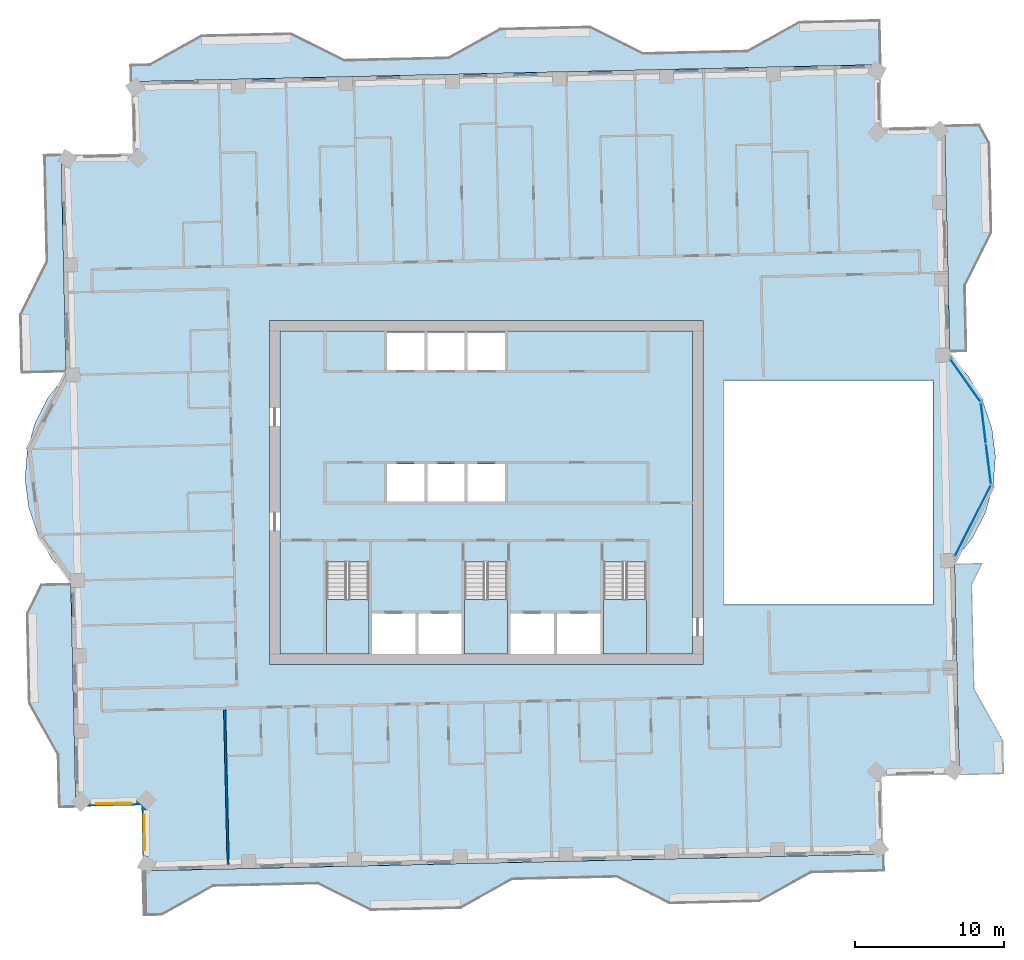
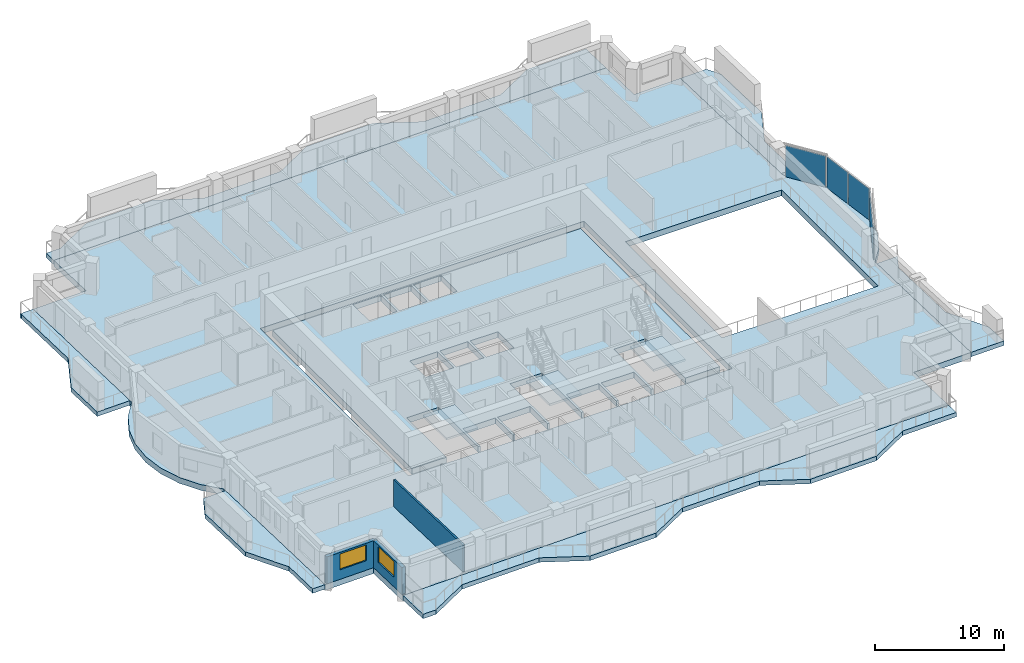
# One storey, part 7 of 20: 11 slabs, 4 plates, 3 walls, 2 windows, 2 openings, 6 elements without a shape of their own.
"""IFC4 building model written with IfcOpenShell, lengths in metres."""

from ifc_helpers import new_model, si_unit, direction, frame, frame_2d, origin, origin_2d, place, context, subcontext, project, spatial, polyline, rectangle, outline, extrude, material, layer, layer_set, type_object, element, fill, aggregate, save


model = new_model("IFC4")

# Units and contexts
model_context = context("Model", 3, precision=1e-05, world=origin(), true_north=direction((0.0, 1.0)))
body_context = subcontext(model_context, "Body", "Model", "MODEL_VIEW")
ifc_project = project(units=[si_unit("LENGTHUNIT", "METRE"), si_unit("AREAUNIT", "SQUARE_METRE"), si_unit("VOLUMEUNIT", "CUBIC_METRE"), si_unit("PLANEANGLEUNIT", "RADIAN"), si_unit("MASSUNIT", "GRAM", prefix="KILO")], contexts=[model_context])

# Site, building, storey
site_placement = place(None, origin())
site = spatial("IfcSite", under=ifc_project, at=site_placement, CompositionType="ELEMENT")
building_placement = place(site_placement, origin())
building = spatial("IfcBuilding", under=site, at=building_placement, Name="Mangrove Gate Tower", CompositionType="ELEMENT")
storey_placement = place(building_placement, frame((0.0, 0.0, 279.89990234375)))
storey = spatial("IfcBuildingStorey", under=building, at=storey_placement, Name="L71", CompositionType="ELEMENT", Elevation=279.89990234375)

# Curtain wall, plate
ifc_material_1 = material(Name="Aluminium and glass curtain wall", Category="aluminium")
curtain_wall_type = type_object("IfcCurtainWallType", Name="Atrium garden-court glazing wall", PredefinedType="NOTDEFINED", material=ifc_material_1)
curtain_wall_1_placement = place(storey_placement, origin())
curtain_wall_1 = element("IfcCurtainWall", 1, at=curtain_wall_1_placement, inside=storey, type_object=curtain_wall_type, Name="Atrium garden-court glazing E1f1", PredefinedType="NOTDEFINED")
ifc_material_2 = material(Name="Laminated low-e glass", Category="glass")
ifc_layer_1 = layer(ifc_material_2, 0.031982421875)
ifc_layer_set_1 = layer_set([ifc_layer_1], Name="Atrium garden-court glazing panel 32")
plate_type = type_object("IfcPlateType", Name="Atrium garden-court glazing panel 32", PredefinedType="CURTAIN_PANEL", material=ifc_layer_set_1)
plate_1_placement = place(storey_placement, frame((32.542236328125, -1.90087890625, 0.0), z_axis=(0.0, 0.0, 1.0), x_axis=(0.452617386511, 0.891704828644, 0.0)))
plate_1 = element("IfcPlate", 2, at=plate_1_placement, type_object=plate_type, Name="CWA panel 1.1", PredefinedType="CURTAIN_PANEL", context=body_context, shape_type="SweptSolid", body=[
    extrude(rectangle(XDim=5.258544921875, YDim=0.031982421875, at=origin_2d()), origin(), (0.0, 0.0, 1.0), 2.97998046875),
])
aggregate(curtain_wall_1, [plate_1])

# Curtain wall, plates
curtain_wall_2_placement = place(storey_placement, origin())
curtain_wall_2 = element("IfcCurtainWall", 3, at=curtain_wall_2_placement, inside=storey, type_object=curtain_wall_type, Name="Atrium garden-court glazing E1f2", PredefinedType="NOTDEFINED")
plate_2_placement = place(storey_placement, frame((33.591552734375, 1.90625, 0.0), z_axis=(0.0, 0.0, 1.0), x_axis=(-0.122172285885, 0.992508908051, 0.0)))
plate_2 = element("IfcPlate", 4, at=plate_2_placement, type_object=plate_type, Name="CWA panel 1.1", PredefinedType="CURTAIN_PANEL", context=body_context, shape_type="SweptSolid", body=[
    extrude(rectangle(XDim=2.681640625, YDim=0.031982421875, at=origin_2d()), origin(), (0.0, 0.0, 1.0), 2.97998046875),
])
plate_3_placement = place(storey_placement, frame((33.25537109375, 4.637451171875, 0.0), z_axis=(0.0, 0.0, 1.0), x_axis=(-0.122172285885, 0.992508908051, 0.0)))
plate_3 = element("IfcPlate", 5, at=plate_3_placement, type_object=plate_type, Name="CWA panel 2.1", PredefinedType="CURTAIN_PANEL", context=body_context, shape_type="SweptSolid", body=[
    extrude(rectangle(XDim=2.681640625, YDim=0.031982421875, at=origin_2d()), origin(), (0.0, 0.0, 1.0), 2.97998046875),
])
aggregate(curtain_wall_2, [plate_2, plate_3])

# Curtain wall, plate
curtain_wall_3_placement = place(storey_placement, origin())
curtain_wall_3 = element("IfcCurtainWall", 6, at=curtain_wall_3_placement, inside=storey, type_object=curtain_wall_type, Name="Atrium garden-court glazing E1f3", PredefinedType="NOTDEFINED")
plate_4_placement = place(storey_placement, frame((32.05126953125, 7.493896484375, 0.0), z_axis=(0.0, 0.0, 1.0), x_axis=(-0.578135022674, 0.815941110349, 0.0)))
plate_4 = element("IfcPlate", 7, at=plate_4_placement, type_object=plate_type, Name="CWA panel 1.1", PredefinedType="CURTAIN_PANEL", context=body_context, shape_type="SweptSolid", body=[
    extrude(rectangle(XDim=3.42919921875, YDim=0.031982421875, at=origin_2d()), origin(), (0.0, 0.0, 1.0), 2.97998046875),
])
aggregate(curtain_wall_3, [plate_4])

# Slabs
ifc_material_3 = material(Name="Porcelain tile")
ifc_layer_2 = layer(ifc_material_3, 0.02001953125, Name="Tile finish")
ifc_material_4 = material(Name="Cement sand screed")
ifc_layer_3 = layer(ifc_material_4, 0.0400390625, Name="Screed laid to falls")
ifc_material_5 = material(Name="Bituminous waterproofing membrane")
ifc_layer_4 = layer(ifc_material_5, 0.00390625, Name="Waterproofing")
ifc_material_6 = material(Name="Concrete C40/50", Category="concrete")
ifc_layer_5 = layer(ifc_material_6, 0.340087890625, Name="Balcony structural slab")
ifc_material_7 = material(Name="Limestone", Category="masonry")
ifc_layer_6 = layer(ifc_material_7, 0.01611328125, Name="Soffit lining")
ifc_layer_set_2 = layer_set([ifc_layer_2, ifc_layer_3, ifc_layer_4, ifc_layer_5, ifc_layer_6], Name="Balcony slab 420 C40/50")
slab_type_1 = type_object("IfcSlabType", Name="Balcony slab 420 C40/50", PredefinedType="FLOOR", material=ifc_layer_set_2)
slab_1_placement = place(storey_placement, frame((0.0, 0.0, -0.419921875)))
element("IfcSlab", 8, at=slab_1_placement, inside=storey, type_object=slab_type_1, Name="BALCONY L71 E0", PredefinedType="FLOOR", context=body_context, shape_type="SweptSolid", body=[
    extrude(outline(polyline([(34.631103515625, -18.805908203125), (34.5810546875, -16.60595703125), (32.652099609375, -13.14892578125), (32.492919921875, -6.15087890625), (33.18798828125, -4.760009765625), (31.322021484375, -4.802978515625), (31.35302734375, -6.177001953125), (31.511962890625, -13.175048828125), (31.591064453125, -16.674072265625), (31.64111328125, -18.8740234375), (34.631103515625, -18.805908203125)])), origin(), (0.0, 0.0, 1.0), 0.419921875),
])
slab_2_placement = place(storey_placement, frame((0.0, 0.0, -0.419921875)))
element("IfcSlab", 9, at=slab_2_placement, inside=storey, type_object=slab_type_1, Name="BALCONY L71 E1", PredefinedType="FLOOR", context=body_context, shape_type="SweptSolid", body=[
    extrude(outline(polyline([(32.137939453125, 9.469970703125), (32.0390625, 13.843994140625), (33.80908203125, 17.385009765625), (33.673095703125, 23.383056640625), (33.011962890625, 24.569091796875), (30.656982421875, 24.514892578125), (30.68408203125, 23.31494140625), (30.820068359375, 17.31689453125), (30.89892578125, 13.818115234375), (30.9990234375, 9.444091796875), (32.137939453125, 9.469970703125)])), origin(), (0.0, 0.0, 1.0), 0.419921875),
])
slab_3_placement = place(storey_placement, frame((0.0, 0.0, -0.419921875)))
element("IfcSlab", 10, at=slab_3_placement, inside=storey, type_object=slab_type_1, Name="BALCONY L71 N0", PredefinedType="FLOOR", context=body_context, shape_type="SweptSolid", body=[
    extrude(outline(polyline([(26.294921875, 31.60791015625), (20.927978515625, 31.486083984375), (17.470947265625, 29.556884765625), (10.472900390625, 29.39794921875), (6.931884765625, 31.1689453125), (0.93310546875, 31.031982421875), (-2.52392578125, 29.10400390625), (-9.52197265625, 28.946044921875), (-13.06298828125, 30.715087890625), (-19.06201171875, 30.5791015625), (-22.51904296875, 28.64990234375), (-23.785888671875, 28.62109375), (-23.760986328125, 27.48095703125), (26.363037109375, 28.618896484375), (26.294921875, 31.60791015625)])), origin(), (0.0, 0.0, 1.0), 0.419921875),
])
slab_4_placement = place(storey_placement, frame((0.0, 0.0, -0.419921875)))
element("IfcSlab", 11, at=slab_4_placement, inside=storey, type_object=slab_type_1, Name="BALCONY L71 W0", PredefinedType="FLOOR", context=body_context, shape_type="SweptSolid", body=[
    extrude(outline(polyline([(-29.64306640625, 22.547119140625), (-29.587890625, 22.447998046875), (-29.428955078125, 15.449951171875), (-31.198974609375, 11.908935546875), (-31.111083984375, 8.034912109375), (-28.1220703125, 8.10302734375), (-28.2099609375, 11.97607421875), (-28.2890625, 15.47509765625), (-28.447998046875, 22.47412109375), (-28.449951171875, 22.573974609375), (-29.64306640625, 22.547119140625)])), origin(), (0.0, 0.0, 1.0), 0.419921875),
])
slab_5_placement = place(storey_placement, frame((0.0, 0.0, -0.419921875)))
element("IfcSlab", 12, at=slab_5_placement, inside=storey, type_object=slab_type_1, Name="BALCONY L71 W1", PredefinedType="FLOOR", context=body_context, shape_type="SweptSolid", body=[
    extrude(outline(polyline([(-29.797119140625, -6.18994140625), (-30.7451171875, -8.0859375), (-30.60888671875, -14.0849609375), (-28.679931640625, -17.5419921875), (-28.60107421875, -21.041015625), (-27.4609375, -21.014892578125), (-27.541015625, -17.51611328125), (-27.6201171875, -14.01708984375), (-27.756103515625, -8.01904296875), (-27.799072265625, -6.14404296875), (-29.797119140625, -6.18994140625)])), origin(), (0.0, 0.0, 1.0), 0.419921875),
])
slab_6_placement = place(storey_placement, frame((0.0, 0.0, -0.419921875)))
element("IfcSlab", 13, at=slab_6_placement, inside=storey, type_object=slab_type_1, Name="BALCONY L71 S0", PredefinedType="FLOOR", context=body_context, shape_type="SweptSolid", body=[
    extrude(outline(polyline([(-22.89501953125, -28.302978515625), (-21.72705078125, -28.277099609375), (-18.27001953125, -26.347900390625), (-11.27197265625, -26.18896484375), (-7.73095703125, -27.958984375), (-1.73193359375, -27.822998046875), (1.72509765625, -25.89404296875), (8.722900390625, -25.736083984375), (12.263916015625, -27.506103515625), (18.262939453125, -27.368896484375), (21.719970703125, -25.44091796875), (26.5869140625, -25.330078125), (26.56103515625, -24.18994140625), (-22.962890625, -25.31396484375), (-22.89501953125, -28.302978515625)])), origin(), (0.0, 0.0, 1.0), 0.419921875),
])
ifc_material_8 = material(Name="Concrete C40/50", Category="concrete")
ifc_layer_7 = layer(ifc_material_8, 0.550048828125)
ifc_layer_set_3 = layer_set([ifc_layer_7], Name="Core floor slab 550 C40/50")
slab_type_2 = type_object("IfcSlabType", Name="Core floor slab 550 C40/50", PredefinedType="FLOOR", material=ifc_layer_set_3)
slab_7_placement = place(storey_placement, frame((0.0, 0.0, -0.5498046875)))
element("IfcSlab", 14, at=slab_7_placement, inside=storey, type_object=slab_type_2, Name="SLAB-L71-CORE-1", PredefinedType="FLOOR", context=body_context, shape_type="SweptSolid", body=[
    extrude(outline(polyline([(-13.800048828125, -10.800048828125), (-13.800048828125, 10.800048828125), (13.800048828125, 10.800048828125), (13.800048828125, -10.800048828125), (10.699951171875, -10.800048828125), (10.699951171875, -4.653076171875), (7.85009765625, -4.653076171875), (7.85009765625, -10.800048828125), (7.64990234375, -10.800048828125), (7.64990234375, -8.10009765625), (4.72509765625, -8.10009765625), (4.72509765625, -10.800048828125), (4.52490234375, -10.800048828125), (4.52490234375, -8.10009765625), (1.60009765625, -8.10009765625), (1.60009765625, -10.800048828125), (1.39990234375, -10.800048828125), (1.39990234375, -4.653076171875), (-1.449951171875, -4.653076171875), (-1.449951171875, -10.800048828125), (-1.64990234375, -10.800048828125), (-1.64990234375, -8.10009765625), (-4.550048828125, -8.10009765625), (-4.550048828125, -10.800048828125), (-4.75, -10.800048828125), (-4.75, -8.10009765625), (-7.64990234375, -8.10009765625), (-7.64990234375, -10.800048828125), (-7.85009765625, -10.800048828125), (-7.85009765625, -4.653076171875), (-10.699951171875, -4.653076171875), (-10.699951171875, -10.800048828125), (-13.800048828125, -10.800048828125)]), holes=[polyline([(-4.14990234375, 1.89990234375), (-6.64990234375, 1.89990234375), (-6.64990234375, -0.60009765625), (-4.14990234375, -0.60009765625), (-4.14990234375, 1.89990234375)]), polyline([(-1.449951171875, -0.60009765625), (-1.449951171875, 1.89990234375), (-3.949951171875, 1.89990234375), (-3.949951171875, -0.60009765625), (-1.449951171875, -0.60009765625)]), polyline([(-4.14990234375, 8.199951171875), (-4.14990234375, 10.699951171875), (-6.64990234375, 10.699951171875), (-6.64990234375, 8.199951171875), (-4.14990234375, 8.199951171875)]), polyline([(-1.449951171875, 10.699951171875), (-3.949951171875, 10.699951171875), (-3.949951171875, 8.199951171875), (-1.449951171875, 8.199951171875), (-1.449951171875, 10.699951171875)]), polyline([(1.25, -0.60009765625), (1.25, 1.89990234375), (-1.25, 1.89990234375), (-1.25, -0.60009765625), (1.25, -0.60009765625)]), polyline([(1.25, 8.199951171875), (1.25, 10.699951171875), (-1.25, 10.699951171875), (-1.25, 8.199951171875), (1.25, 8.199951171875)])]), origin(), (0.0, 0.0, 1.0), 0.5498046875),
])

# Stair, slab
ifc_material_9 = material(Name="Concrete C40/50", Category="concrete")
stair_type = type_object("IfcStairType", Name="Core stair 1350", PredefinedType="HALF_TURN_STAIR", material=ifc_material_9)
stair_1_placement = place(storey_placement, origin())
stair_1 = element("IfcStair", 15, at=stair_1_placement, inside=storey, type_object=stair_type, Name="L71 Stair 1", PredefinedType="HALF_TURN_STAIR")
ifc_material_10 = material(Name="Concrete C40/50", Category="concrete")
ifc_layer_8 = layer(ifc_material_10, 0.199951171875)
ifc_layer_set_4 = layer_set([ifc_layer_8], Name="Core stair landing 200")
slab_type_3 = type_object("IfcSlabType", Name="Core stair landing 200", PredefinedType="LANDING", material=ifc_layer_set_4)
slab_8_placement = place(storey_placement, frame((0.0, 0.0, 1.60009765625)))
slab_8 = element("IfcSlab", 16, at=slab_8_placement, type_object=slab_type_3, Name="ST1 landing 1", PredefinedType="LANDING", context=body_context, shape_type="SweptSolid", body=[
    extrude(outline(polyline([(-10.699951171875, -7.169921875), (-10.699951171875, -10.800048828125), (-7.85009765625, -10.800048828125), (-7.85009765625, -7.169921875), (-10.699951171875, -7.169921875)])), origin(), (0.0, 0.0, 1.0), 0.199951171875),
])
aggregate(stair_1, [slab_8])

stair_2_placement = place(storey_placement, origin())
stair_2 = element("IfcStair", 17, at=stair_2_placement, inside=storey, type_object=stair_type, Name="L71 Stair 2", PredefinedType="HALF_TURN_STAIR")
slab_9_placement = place(storey_placement, frame((0.0, 0.0, 1.60009765625)))
slab_9 = element("IfcSlab", 18, at=slab_9_placement, type_object=slab_type_3, Name="ST2 landing 1", PredefinedType="LANDING", context=body_context, shape_type="SweptSolid", body=[
    extrude(outline(polyline([(-1.449951171875, -7.169921875), (-1.449951171875, -10.800048828125), (1.39990234375, -10.800048828125), (1.39990234375, -7.169921875), (-1.449951171875, -7.169921875)])), origin(), (0.0, 0.0, 1.0), 0.199951171875),
])
aggregate(stair_2, [slab_9])

stair_3_placement = place(storey_placement, origin())
stair_3 = element("IfcStair", 19, at=stair_3_placement, inside=storey, type_object=stair_type, Name="L71 Stair 3", PredefinedType="HALF_TURN_STAIR")
slab_10_placement = place(storey_placement, frame((0.0, 0.0, 1.60009765625)))
slab_10 = element("IfcSlab", 20, at=slab_10_placement, type_object=slab_type_3, Name="ST3 landing 1", PredefinedType="LANDING", context=body_context, shape_type="SweptSolid", body=[
    extrude(outline(polyline([(7.85009765625, -7.169921875), (7.85009765625, -10.800048828125), (10.699951171875, -10.800048828125), (10.699951171875, -7.169921875), (7.85009765625, -7.169921875)])), origin(), (0.0, 0.0, 1.0), 0.199951171875),
])
aggregate(stair_3, [slab_10])

# Slab
ifc_material_11 = material(Name="Concrete C40/50", Category="concrete")
ifc_layer_9 = layer(ifc_material_11, 0.550048828125)
ifc_layer_set_5 = layer_set([ifc_layer_9], Name="Floor slab 550 C40/50")
slab_type_4 = type_object("IfcSlabType", Name="Floor slab 550 C40/50", PredefinedType="FLOOR", material=ifc_layer_set_5)
slab_11_placement = place(storey_placement, frame((0.0, 0.0, -0.5498046875)))
element("IfcSlab", 21, at=slab_11_placement, inside=storey, type_object=slab_type_4, Name="Floor slab L71", PredefinedType="FLOOR", context=body_context, shape_type="SweptSolid", body=[
    extrude(outline(polyline([(-22.962646484375, -25.314208984375), (26.560791015625, -24.1904296875), (26.442626953125, -18.99169921875), (31.641357421875, -18.873779296875), (31.31640625, -4.552734375), (32.512939453125, -3.060302734375), (33.389892578125, -1.360595703125), (33.912353515625, 0.4794921875), (34.0595703125, 2.38671875), (33.825927734375, 4.28515625), (33.220458984375, 6.099365234375), (32.267333984375, 7.7578125), (31.00439453125, 9.1943359375), (30.65673828125, 24.51513671875), (26.457763671875, 24.419921875), (26.362548828125, 28.61865234375), (-23.760498046875, 27.481201171875), (-23.651611328125, 22.6826171875), (-28.450439453125, 22.57373046875), (-28.116455078125, 7.852783203125), (-29.31298828125, 6.3603515625), (-30.18994140625, 4.660400390625), (-30.71240234375, 2.820556640625), (-30.859619140625, 0.913330078125), (-30.6259765625, -0.985107421875), (-30.0205078125, -2.799560546875), (-29.0673828125, -4.457763671875), (-27.804443359375, -5.894287109375), (-27.461181640625, -21.01513671875), (-23.0625, -20.915283203125), (-22.962646484375, -25.314208984375)]), holes=[polyline([(15.89990234375, 7.5), (29.889892578125, 7.5), (29.889892578125, -7.5), (15.89990234375, -7.5), (15.89990234375, 7.5)]), polyline([(-14.5, -11.5), (-14.5, 11.5), (14.5, 11.5), (14.5, -11.5), (-14.5, -11.5)])]), origin(), (0.0, 0.0, 1.0), 0.5498046875),
])

# Wall, opening, window
ifc_layer_10 = layer(ifc_material_7, 0.0400390625, Name="Limestone cladding")
ifc_material_12 = material(Name="Ventilated air gap")
ifc_layer_11 = layer(ifc_material_12, 0.0400390625, Name="Ventilated cavity")
ifc_material_13 = material(Name="Mineral wool insulation")
ifc_layer_12 = layer(ifc_material_13, 0.06005859375, Name="Insulation")
ifc_material_14 = material(Name="Breather membrane")
ifc_layer_13 = layer(ifc_material_14, 0.001953125, Name="Breather membrane")
ifc_material_15 = material(Name="Concrete C20/25 blockwork", Category="masonry")
ifc_layer_14 = layer(ifc_material_15, 0.14990234375, Name="Blockwork backing wall")
ifc_material_16 = material(Name="Gypsum plaster")
ifc_layer_15 = layer(ifc_material_16, 0.008056640625, Name="Internal plaster")
ifc_layer_set_6 = layer_set([ifc_layer_10, ifc_layer_11, ifc_layer_12, ifc_layer_13, ifc_layer_14, ifc_layer_15], Name="External wall 300 limestone cladding")
wall_type_1 = type_object("IfcWallType", Name="External wall 300 limestone cladding", PredefinedType="SOLIDWALL", material=ifc_layer_set_6)
wall_1_placement = place(storey_placement, frame((-27.31494140625, -20.862060546875, 0.0), z_axis=(0.0, 0.0, 1.0), x_axis=(0.999741204967, 0.022749133868, 0.0)))
wall_1 = element("IfcWall", 22, at=wall_1_placement, inside=storey, type_object=wall_type_1, Name="WALL-L71-S11", PredefinedType="SOLIDWALL", context=body_context, shape_type="SweptSolid", body=[
    extrude(rectangle(XDim=4.400146484375, YDim=0.300048828125, at=frame_2d((2.2001953125, 0.0))), origin(), (0.0, 0.0, 1.0), 2.550048828125),
])
opening_1_placement = place(wall_1_placement, frame((1.196044921875, 0.0, 0.89990234375)))
opening_1 = element("IfcOpeningElement", 23, at=opening_1_placement, cuts=wall_1, Name="Opening W2", PredefinedType="OPENING", context=body_context, shape_type="SweptSolid", body=[
    extrude(rectangle(XDim=2.39990234375, YDim=1.5, at=frame_2d((1.199951171875, 0.75))), frame((0.0, 0.159912109375, 0.0), z_axis=(0.0, -1.0, 0.0), x_axis=(1.0, 0.0, 0.0)), (0.0, 0.0, 1.0), 0.320068359375),
])
ifc_material_17 = material(Name="Aluminium frame with double-glazed low-e glass", Category="aluminium")
window_type = type_object("IfcWindowType", Name="Corner room window 2400x1500", PartitioningType="DOUBLE_PANEL_VERTICAL", PredefinedType="WINDOW", material=ifc_material_17)
window_1_placement = place(opening_1_placement, origin())
window_1 = element("IfcWindow", 24, at=window_1_placement, inside=storey, type_object=window_type, Name="WIN-L71-S11-1", OverallHeight=1.5, OverallWidth=2.39990234375, PartitioningType="DOUBLE_PANEL_VERTICAL", PredefinedType="WINDOW", context=body_context, shape_type="SweptSolid", body=[
    extrude(rectangle(XDim=2.39990234375, YDim=1.5, at=frame_2d((1.199951171875, 0.75))), frame((0.0, 0.030029296875, 0.0), z_axis=(0.0, -1.0, 0.0), x_axis=(1.0, 0.0, 0.0)), (0.0, 0.0, 1.0), 0.06005859375),
])
fill(opening_1, window_1)

wall_2_placement = place(storey_placement, frame((-22.916015625, -20.761962890625, 0.0), z_axis=(0.0, 0.0, 1.0), x_axis=(0.022749133868, -0.999741204967, 0.0)))
wall_2 = element("IfcWall", 25, at=wall_2_placement, inside=storey, type_object=wall_type_1, Name="WALL-L71-W12", PredefinedType="SOLIDWALL", context=body_context, shape_type="SweptSolid", body=[
    extrude(rectangle(XDim=4.400146484375, YDim=0.300048828125, at=frame_2d((2.2001953125, 0.0))), origin(), (0.0, 0.0, 1.0), 2.550048828125),
])
opening_2_placement = place(wall_2_placement, frame((0.7890625, 0.0, 0.89990234375)))
opening_2 = element("IfcOpeningElement", 26, at=opening_2_placement, cuts=wall_2, Name="Opening W2", PredefinedType="OPENING", context=body_context, shape_type="SweptSolid", body=[
    extrude(rectangle(XDim=2.39990234375, YDim=1.5, at=frame_2d((1.199951171875, 0.75))), frame((0.0, 0.159912109375, 0.0), z_axis=(0.0, -1.0, 0.0), x_axis=(1.0, 0.0, 0.0)), (0.0, 0.0, 1.0), 0.320068359375),
])
window_2_placement = place(opening_2_placement, origin())
window_2 = element("IfcWindow", 27, at=window_2_placement, inside=storey, type_object=window_type, Name="WIN-L71-W12-1", OverallHeight=1.5, OverallWidth=2.39990234375, PartitioningType="DOUBLE_PANEL_VERTICAL", PredefinedType="WINDOW", context=body_context, shape_type="SweptSolid", body=[
    extrude(rectangle(XDim=2.39990234375, YDim=1.5, at=frame_2d((1.199951171875, 0.75))), frame((0.0, 0.030029296875, 0.0), z_axis=(0.0, -1.0, 0.0), x_axis=(1.0, 0.0, 0.0)), (0.0, 0.0, 1.0), 0.06005859375),
])
fill(opening_2, window_2)

# Wall
ifc_material_18 = material(Name="Gypsum board on steel stud, EI 60", Category="steel")
ifc_layer_16 = layer(ifc_material_18, 0.14990234375)
ifc_layer_set_7 = layer_set([ifc_layer_16], Name="Party wall 150 EI 60")
wall_type_2 = type_object("IfcWallType", Name="Party wall 150 EI 60", PredefinedType="PARTITIONING", material=ifc_layer_set_7)
wall_3_placement = place(storey_placement, frame((-17.27294921875, -24.885009765625, 0.0), z_axis=(0.0, 0.0, 1.0), x_axis=(-0.022716582742, 0.999741945138, 0.0)))
element("IfcWall", 28, at=wall_3_placement, inside=storey, type_object=wall_type_2, Name="WALL-L71-001", PredefinedType="PARTITIONING", context=body_context, shape_type="SweptSolid", body=[
    extrude(rectangle(XDim=10.349609375, YDim=0.14990234375, at=frame_2d((5.1748046875, 0.0))), origin(), (0.0, 0.0, 1.0), 2.550048828125),
])

save(model, "model.ifc")
